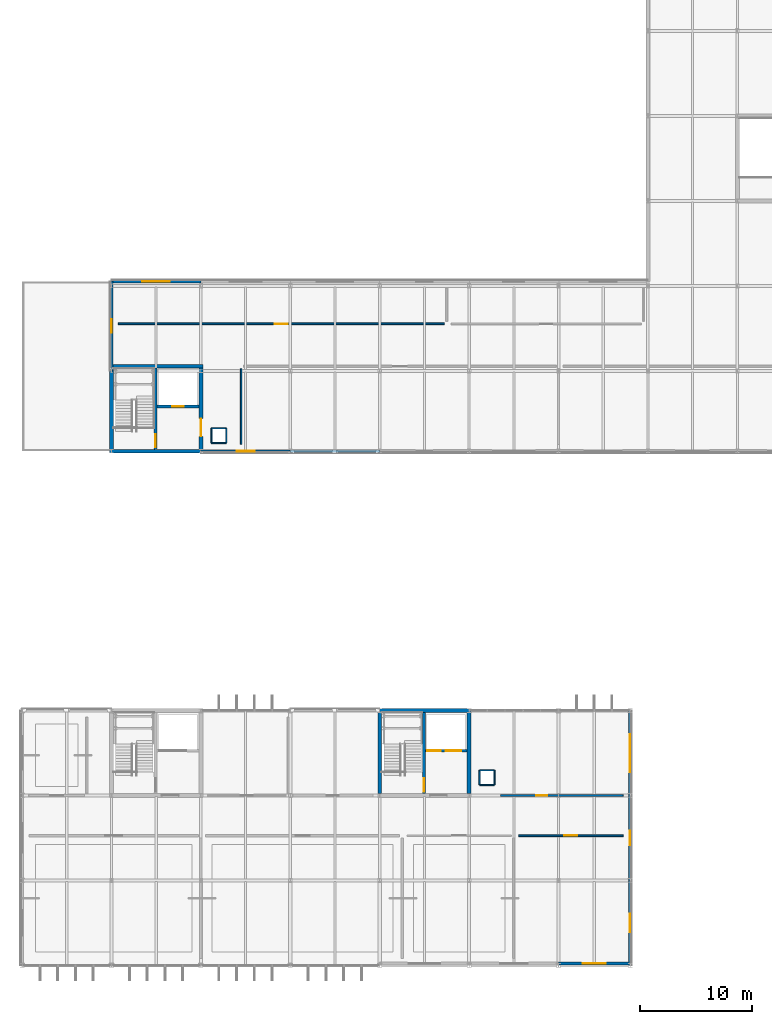
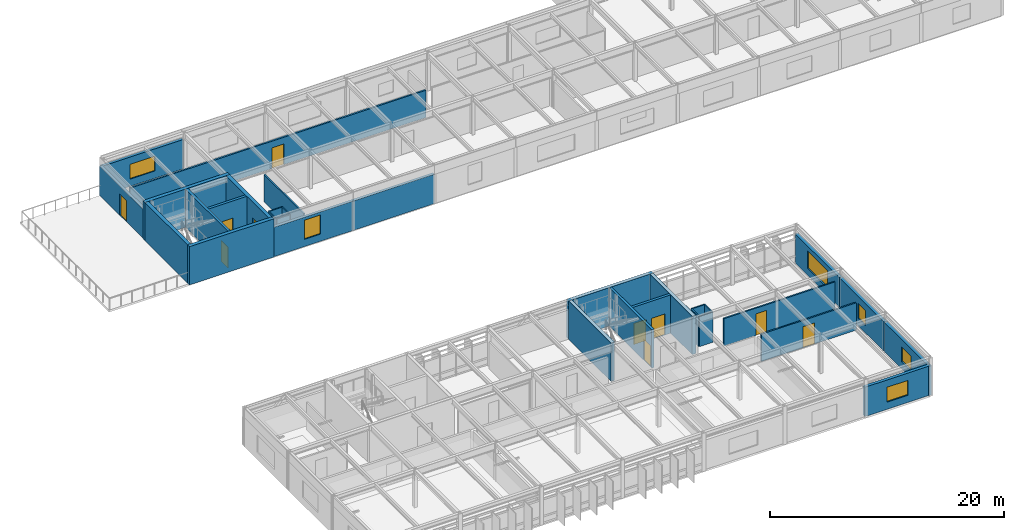
# One storey, part 24 of 33: 31 walls, 10 doors, 6 windows, 16 openings.
"""IFC4 building model written with IfcOpenShell, lengths in metres."""

from ifc_helpers import new_model, si_unit, direction, frame, frame_2d, origin, place, context, subcontext, project, spatial, rectangle, extrude, material, layer, layer_set, type_object, element, fill, save


model = new_model("IFC4")

# Units and contexts
model_context = context("Model", 3, precision=1e-05, world=origin(), true_north=direction((0.0, 1.0)))
body_context = subcontext(model_context, "Body", "Model", "MODEL_VIEW")
ifc_project = project(units=[si_unit("LENGTHUNIT", "METRE"), si_unit("AREAUNIT", "SQUARE_METRE"), si_unit("VOLUMEUNIT", "CUBIC_METRE"), si_unit("PLANEANGLEUNIT", "RADIAN"), si_unit("MASSUNIT", "GRAM", prefix="KILO")], contexts=[model_context])

# Site, building, storey
site_placement = place(None, origin())
site = spatial("IfcSite", under=ifc_project, at=site_placement, CompositionType="ELEMENT")
building_placement = place(site_placement, origin())
building = spatial("IfcBuilding", under=site, at=building_placement, Name="Zulena Civic Courthouse", CompositionType="ELEMENT")
storey_placement = place(building_placement, frame((0.0, 0.0, 33.60009765625)))
storey = spatial("IfcBuildingStorey", under=building, at=storey_placement, Name="L07", CompositionType="ELEMENT", Elevation=33.60009765625)

# Wall, opening, door
ifc_material_1 = material(Name="Concrete C40/50", Category="concrete")
ifc_layer_1 = layer(ifc_material_1, 0.25)
ifc_layer_set_1 = layer_set([ifc_layer_1], Name="Concrete C40/50")
wall_type_1 = type_object("IfcWallType", Name="CoreShearWall_RC250", PredefinedType="SHEAR", material=ifc_layer_set_1)
wall_1_placement = place(storey_placement, frame((47.949951171875, 15.375, 0.0), z_axis=(0.0, 0.0, 1.0), x_axis=(0.0, 1.0, 0.0)))
wall_1 = element("IfcWall", 1, at=wall_1_placement, inside=storey, type_object=wall_type_1, Name="cwall:K2B:L07:DIV", PredefinedType="SHEAR", context=body_context, shape_type="SweptSolid", body=[
    extrude(rectangle(XDim=7.25, YDim=0.25, at=frame_2d((3.625, 0.0))), origin(), (0.0, 0.0, 1.0), 3.989990234375),
])
opening_1_placement = place(wall_1_placement, frame((0.179931640625, 0.0, 0.0)))
opening_1 = element("IfcOpeningElement", 2, at=opening_1_placement, cuts=wall_1, Name="Opening ID07", PredefinedType="OPENING", context=body_context, shape_type="SweptSolid", body=[
    extrude(rectangle(XDim=1.199951171875, YDim=2.199951171875, at=frame_2d((0.60009765625, 1.10009765625))), frame((0.0, 0.135009765625, 0.0), z_axis=(0.0, -1.0, 0.0), x_axis=(1.0, 0.0, 0.0)), (0.0, 0.0, 1.0), 0.27001953125),
])
ifc_material_2 = material(Name="Fire-rated galvanised steel ASTM A653 Grade 50", Category="steel")
door_type_1 = type_object("IfcDoorType", Name="IntDoor_Stair_1200x2200", OperationType="NOTDEFINED", PredefinedType="DOOR", material=ifc_material_2)
door_1_placement = place(opening_1_placement, origin())
door_1 = element("IfcDoor", 3, at=door_1_placement, inside=storey, type_object=door_type_1, Name="door:stair:K2B:L07", OperationType="SINGLE_SWING_RIGHT", OverallHeight=2.199951171875, OverallWidth=1.199951171875, PredefinedType="DOOR", context=body_context, shape_type="SweptSolid", body=[
    extrude(rectangle(XDim=1.199951171875, YDim=2.199951171875, at=frame_2d((0.60009765625, 1.10009765625))), frame((0.0, 0.02490234375, 0.0), z_axis=(0.0, -1.0, 0.0), x_axis=(1.0, 0.0, 0.0)), (0.0, 0.0, 1.0), 0.050048828125),
])
fill(opening_1, door_1)

# Wall, openings, doors
wall_2_placement = place(storey_placement, frame((48.074951171875, 19.199951171875, 0.0), z_axis=(0.0, 0.0, 1.0), x_axis=(1.0, 0.0, 0.0)))
wall_2 = element("IfcWall", 4, at=wall_2_placement, inside=storey, type_object=wall_type_1, Name="cwall:K2B:L07:SHF", PredefinedType="SHEAR", context=body_context, shape_type="SweptSolid", body=[
    extrude(rectangle(XDim=3.75, YDim=0.25, at=frame_2d((1.875, 0.0))), origin(), (0.0, 0.0, 1.0), 3.989990234375),
])
opening_2_placement = place(wall_2_placement, frame((0.179931640625, 0.0, 0.0)))
opening_2 = element("IfcOpeningElement", 5, at=opening_2_placement, cuts=wall_2, Name="Opening LD01", PredefinedType="OPENING", context=body_context, shape_type="SweptSolid", body=[
    extrude(rectangle(XDim=1.199951171875, YDim=2.199951171875, at=frame_2d((0.60009765625, 1.10009765625))), frame((0.0, 0.135009765625, 0.0), z_axis=(0.0, -1.0, 0.0), x_axis=(1.0, 0.0, 0.0)), (0.0, 0.0, 1.0), 0.27001953125),
])
opening_3_placement = place(wall_2_placement, frame((1.85009765625, 0.0, 0.0)))
opening_3 = element("IfcOpeningElement", 6, at=opening_3_placement, cuts=wall_2, Name="Opening LD04", PredefinedType="OPENING", context=body_context, shape_type="SweptSolid", body=[
    extrude(rectangle(XDim=1.35009765625, YDim=2.199951171875, at=frame_2d((0.675048828125, 1.10009765625))), frame((0.0, 0.135009765625, 0.0), z_axis=(0.0, -1.0, 0.0), x_axis=(1.0, 0.0, 0.0)), (0.0, 0.0, 1.0), 0.27001953125),
])
door_type_2 = type_object("IfcDoorType", Name="LiftLandingDoor_FF_1200x2200", OperationType="SLIDING_TO_LEFT", PredefinedType="DOOR", material=ifc_material_2)
door_2_placement = place(opening_2_placement, origin())
door_2 = element("IfcDoor", 7, at=door_2_placement, inside=storey, type_object=door_type_2, Name="door:ld:FL-02:L07", OperationType="SLIDING_TO_LEFT", OverallHeight=2.199951171875, OverallWidth=1.199951171875, PredefinedType="DOOR", context=body_context, shape_type="SweptSolid", body=[
    extrude(rectangle(XDim=1.199951171875, YDim=2.199951171875, at=frame_2d((0.60009765625, 1.10009765625))), frame((0.0, 0.02490234375, 0.0), z_axis=(0.0, -1.0, 0.0), x_axis=(1.0, 0.0, 0.0)), (0.0, 0.0, 1.0), 0.050048828125),
])
fill(opening_2, door_2)
door_type_3 = type_object("IfcDoorType", Name="LiftLandingDoor_Goods_1350x2300", OperationType="DOUBLE_DOOR_SLIDING", PredefinedType="DOOR", material=ifc_material_2)
door_3_placement = place(opening_3_placement, origin())
door_3 = element("IfcDoor", 8, at=door_3_placement, inside=storey, type_object=door_type_3, Name="door:ld:CL-01:L07", OperationType="DOUBLE_DOOR_SLIDING", OverallHeight=2.199951171875, OverallWidth=1.35009765625, PredefinedType="DOOR", context=body_context, shape_type="SweptSolid", body=[
    extrude(rectangle(XDim=1.35009765625, YDim=2.199951171875, at=frame_2d((0.675048828125, 1.10009765625))), frame((0.0, 0.02490234375, 0.0), z_axis=(0.0, -1.0, 0.0), x_axis=(1.0, 0.0, 0.0)), (0.0, 0.0, 1.0), 0.050048828125),
])
fill(opening_3, door_3)

# Wall, opening, door
wall_3_placement = place(storey_placement, frame((23.949951171875, 46.175048828125, 0.0), z_axis=(0.0, 0.0, 1.0), x_axis=(0.0, 1.0, 0.0)))
wall_3 = element("IfcWall", 9, at=wall_3_placement, inside=storey, type_object=wall_type_1, Name="cwall:K5A:L07:DIV", PredefinedType="SHEAR", context=body_context, shape_type="SweptSolid", body=[
    extrude(rectangle(XDim=7.25, YDim=0.25, at=frame_2d((3.625, 0.0))), origin(), (0.0, 0.0, 1.0), 3.989990234375),
])
opening_4_placement = place(wall_3_placement, frame((0.179931640625, 0.0, 0.0)))
opening_4 = element("IfcOpeningElement", 10, at=opening_4_placement, cuts=wall_3, Name="Opening ID08", PredefinedType="OPENING", context=body_context, shape_type="SweptSolid", body=[
    extrude(rectangle(XDim=1.14990234375, YDim=2.199951171875, at=frame_2d((0.574951171875, 1.10009765625))), frame((0.0, 0.135009765625, 0.0), z_axis=(0.0, -1.0, 0.0), x_axis=(1.0, 0.0, 0.0)), (0.0, 0.0, 1.0), 0.27001953125),
])
door_type_4 = type_object("IfcDoorType", Name="IntDoor_Stair_1150x2200", OperationType="NOTDEFINED", PredefinedType="DOOR", material=ifc_material_2)
door_4_placement = place(opening_4_placement, origin())
door_4 = element("IfcDoor", 11, at=door_4_placement, inside=storey, type_object=door_type_4, Name="door:stair:K5A:L07", OperationType="SINGLE_SWING_LEFT", OverallHeight=2.199951171875, OverallWidth=1.14990234375, PredefinedType="DOOR", context=body_context, shape_type="SweptSolid", body=[
    extrude(rectangle(XDim=1.14990234375, YDim=2.199951171875, at=frame_2d((0.574951171875, 1.10009765625))), frame((0.0, 0.02490234375, 0.0), z_axis=(0.0, -1.0, 0.0), x_axis=(1.0, 0.0, 0.0)), (0.0, 0.0, 1.0), 0.050048828125),
])
fill(opening_4, door_4)

wall_4_placement = place(storey_placement, frame((24.074951171875, 50.0, 0.0), z_axis=(0.0, 0.0, 1.0), x_axis=(1.0, 0.0, 0.0)))
wall_4 = element("IfcWall", 12, at=wall_4_placement, inside=storey, type_object=wall_type_1, Name="cwall:K5A:L07:SHF", PredefinedType="SHEAR", context=body_context, shape_type="SweptSolid", body=[
    extrude(rectangle(XDim=3.75, YDim=0.25, at=frame_2d((1.875, 0.0))), origin(), (0.0, 0.0, 1.0), 3.989990234375),
])
opening_5_placement = place(wall_4_placement, frame((1.344970703125, 0.0, 0.0)))
opening_5 = element("IfcOpeningElement", 13, at=opening_5_placement, cuts=wall_4, Name="Opening LD03", PredefinedType="OPENING", context=body_context, shape_type="SweptSolid", body=[
    extrude(rectangle(XDim=1.050048828125, YDim=2.199951171875, at=frame_2d((0.52490234375, 1.10009765625))), frame((0.0, 0.135009765625, 0.0), z_axis=(0.0, -1.0, 0.0), x_axis=(1.0, 0.0, 0.0)), (0.0, 0.0, 1.0), 0.27001953125),
])
door_type_5 = type_object("IfcDoorType", Name="LiftLandingDoor_Jud_1050x2200", OperationType="SLIDING_TO_RIGHT", PredefinedType="DOOR", material=ifc_material_2)
door_5_placement = place(opening_5_placement, origin())
door_5 = element("IfcDoor", 14, at=door_5_placement, inside=storey, type_object=door_type_5, Name="door:ld:JL-02:L07", OperationType="SLIDING_TO_RIGHT", OverallHeight=2.199951171875, OverallWidth=1.050048828125, PredefinedType="DOOR", context=body_context, shape_type="SweptSolid", body=[
    extrude(rectangle(XDim=1.050048828125, YDim=2.199951171875, at=frame_2d((0.52490234375, 1.10009765625))), frame((0.0, 0.02490234375, 0.0), z_axis=(0.0, -1.0, 0.0), x_axis=(1.0, 0.0, 0.0)), (0.0, 0.0, 1.0), 0.050048828125),
])
fill(opening_5, door_5)

# Walls
ifc_layer_2 = layer(ifc_material_1, 0.35009765625)
ifc_layer_set_2 = layer_set([ifc_layer_2], Name="Concrete C40/50")
wall_type_2 = type_object("IfcWallType", Name="CoreShearWall_RC350", PredefinedType="SHEAR", material=ifc_layer_set_2)
wall_5_placement = place(storey_placement, frame((43.824951171875, 22.800048828125, 0.0), z_axis=(0.0, 0.0, 1.0), x_axis=(1.0, 0.0, 0.0)))
element("IfcWall", 15, at=wall_5_placement, inside=storey, type_object=wall_type_2, Name="cwall:K2B:L07:N", PredefinedType="SHEAR", context=body_context, shape_type="SweptSolid", body=[
    extrude(rectangle(XDim=8.35009765625, YDim=0.35009765625, at=frame_2d((4.175048828125, 0.0))), origin(), (0.0, 0.0, 1.0), 3.989990234375),
])
for number, where, z_axis, x_axis, name in (
    (16, (44.0, 15.375, 0.0), (0.0, 0.0, 1.0), (0.0, 1.0, 0.0), "cwall:K2B:L07:W"),
    (17, (52.0, 15.375, 0.0), (0.0, 0.0, 1.0), (0.0, 1.0, 0.0), "cwall:K2B:L07:E"),
):
    element("IfcWall", number, at=place(storey_placement, frame(where, z_axis=z_axis, x_axis=x_axis)), inside=storey, type_object=wall_type_2, Name=name, PredefinedType="SHEAR", context=body_context, shape_type="SweptSolid", body=[
        extrude(rectangle(XDim=7.25, YDim=0.35009765625, at=frame_2d((3.625, 0.0))), origin(), (0.0, 0.0, 1.0), 3.989990234375),
    ])
for number, where, z_axis, x_axis, name in (
    (18, (19.824951171875, 46.0, 0.0), (0.0, 0.0, 1.0), (1.0, 0.0, 0.0), "cwall:K5A:L07:S"),
    (19, (19.824951171875, 53.60009765625, 0.0), (0.0, 0.0, 1.0), (1.0, 0.0, 0.0), "cwall:K5A:L07:N"),
):
    element("IfcWall", number, at=place(storey_placement, frame(where, z_axis=z_axis, x_axis=x_axis)), inside=storey, type_object=wall_type_2, Name=name, PredefinedType="SHEAR", context=body_context, shape_type="SweptSolid", body=[
        extrude(rectangle(XDim=8.35009765625, YDim=0.35009765625, at=frame_2d((4.175048828125, 0.0))), origin(), (0.0, 0.0, 1.0), 3.989990234375),
    ])
wall_6_placement = place(storey_placement, frame((20.0, 46.175048828125, 0.0), z_axis=(0.0, 0.0, 1.0), x_axis=(0.0, 1.0, 0.0)))
element("IfcWall", 20, at=wall_6_placement, inside=storey, type_object=wall_type_2, Name="cwall:K5A:L07:W", PredefinedType="SHEAR", context=body_context, shape_type="SweptSolid", body=[
    extrude(rectangle(XDim=7.25, YDim=0.35009765625, at=frame_2d((3.625, 0.0))), origin(), (0.0, 0.0, 1.0), 3.989990234375),
])

# Wall, opening, door
wall_7_placement = place(storey_placement, frame((28.0, 46.175048828125, 0.0), z_axis=(0.0, 0.0, 1.0), x_axis=(0.0, 1.0, 0.0)))
wall_7 = element("IfcWall", 21, at=wall_7_placement, inside=storey, type_object=wall_type_2, Name="cwall:K5A:L07:E", PredefinedType="SHEAR", context=body_context, shape_type="SweptSolid", body=[
    extrude(rectangle(XDim=7.25, YDim=0.35009765625, at=frame_2d((3.625, 0.0))), origin(), (0.0, 0.0, 1.0), 3.989990234375),
])
opening_6_placement = place(wall_7_placement, frame((1.14990234375, 0.0, 0.0)))
opening_6 = element("IfcOpeningElement", 22, at=opening_6_placement, cuts=wall_7, Name="Opening ID04", PredefinedType="OPENING", context=body_context, shape_type="SweptSolid", body=[
    extrude(rectangle(XDim=1.60009765625, YDim=2.35009765625, at=frame_2d((0.800048828125, 1.175048828125))), frame((0.0, 0.18505859375, 0.0), z_axis=(0.0, -1.0, 0.0), x_axis=(1.0, 0.0, 0.0)), (0.0, 0.0, 1.0), 0.3701171875),
])
ifc_material_3 = material(Name="Solid-core acoustic hardwood timber", Category="wood")
door_type_6 = type_object("IfcDoorType", Name="IntDoor_CourtPublic_1600x2350", OperationType="DOUBLE_DOOR_SINGLE_SWING", PredefinedType="DOOR", material=ifc_material_3)
door_6_placement = place(opening_6_placement, origin())
door_6 = element("IfcDoor", 23, at=door_6_placement, inside=storey, type_object=door_type_6, Name="door:corelob:K5A:L07", OperationType="DOUBLE_DOOR_SINGLE_SWING", OverallHeight=2.35009765625, OverallWidth=1.60009765625, PredefinedType="DOOR", context=body_context, shape_type="SweptSolid", body=[
    extrude(rectangle(XDim=1.60009765625, YDim=2.35009765625, at=frame_2d((0.800048828125, 1.175048828125))), frame((0.0, 0.02490234375, 0.0), z_axis=(0.0, -1.0, 0.0), x_axis=(1.0, 0.0, 0.0)), (0.0, 0.0, 1.0), 0.050048828125),
])
fill(opening_6, door_6)

ifc_material_4 = material(Name="Buff architectural precast concrete C40/50", Category="concrete")
ifc_layer_3 = layer(ifc_material_4, 0.264892578125)
ifc_layer_set_3 = layer_set([ifc_layer_3], Name="Buff architectural precast concrete C40/50")
wall_type_3 = type_object("IfcWallType", Name="ExtWall_BuffPrecast_265", PredefinedType="STANDARD", material=ifc_layer_set_3)
wall_8_placement = place(storey_placement, frame((20.0, 53.179931640625, 0.0), z_axis=(0.0, 0.0, 1.0), x_axis=(0.0, 1.0, 0.0)))
wall_8 = element("IfcWall", 24, at=wall_8_placement, inside=storey, type_object=wall_type_3, Name="ewall:V5:L07:0:1", PredefinedType="STANDARD", context=body_context, shape_type="SweptSolid", body=[
    extrude(rectangle(XDim=8.0400390625, YDim=0.264892578125, at=frame_2d((4.02001953125, 0.0))), origin(), (0.0, 0.0, 1.0), 3.059814453125),
])
opening_7_placement = place(wall_8_placement, frame((3.419921875, 0.0, 0.0)))
opening_7 = element("IfcOpeningElement", 25, at=opening_7_placement, cuts=wall_8, Name="Opening TD02", PredefinedType="OPENING", context=body_context, shape_type="SweptSolid", body=[
    extrude(rectangle(XDim=1.199951171875, YDim=2.199951171875, at=frame_2d((0.60009765625, 1.10009765625))), frame((0.0, 0.142333984375, 0.0), z_axis=(0.0, -1.0, 0.0), x_axis=(1.0, 0.0, 0.0)), (0.0, 0.0, 1.0), 0.284912109375),
])
ifc_material_5 = material(Name="Galvanised architectural steel ASTM A653 Grade 50", Category="steel")
door_type_7 = type_object("IfcDoorType", Name="ExtDoor_Terrace_1200x2200", OperationType="NOTDEFINED", PredefinedType="DOOR", material=ifc_material_5)
door_7_placement = place(opening_7_placement, origin())
door_7 = element("IfcDoor", 26, at=door_7_placement, inside=storey, type_object=door_type_7, Name="door:terrace:TR-V5-L07", OperationType="SINGLE_SWING_RIGHT", OverallHeight=2.199951171875, OverallWidth=1.199951171875, PredefinedType="DOOR", context=body_context, shape_type="SweptSolid", body=[
    extrude(rectangle(XDim=1.199951171875, YDim=2.199951171875, at=frame_2d((0.60009765625, 1.10009765625))), frame((0.0, 0.02490234375, 0.0), z_axis=(0.0, -1.0, 0.0), x_axis=(1.0, 0.0, 0.0)), (0.0, 0.0, 1.0), 0.050048828125),
])
fill(opening_7, door_7)

# Wall, opening, window
wall_9_placement = place(storey_placement, frame((19.97998046875, 61.199951171875, 0.0), z_axis=(0.0, 0.0, 1.0), x_axis=(1.0, 0.0, 0.0)))
wall_9 = element("IfcWall", 27, at=wall_9_placement, inside=storey, type_object=wall_type_3, Name="ewall:V5:L07:1:0", PredefinedType="STANDARD", context=body_context, shape_type="SweptSolid", body=[
    extrude(rectangle(XDim=8.0400390625, YDim=0.264892578125, at=frame_2d((4.02001953125, 0.0))), origin(), (0.0, 0.0, 1.0), 3.059814453125),
])
opening_8_placement = place(wall_9_placement, frame((2.794921875, 0.0, 0.75)))
opening_8 = element("IfcOpeningElement", 28, at=opening_8_placement, cuts=wall_9, Name="Opening WN27", PredefinedType="OPENING", context=body_context, shape_type="SweptSolid", body=[
    extrude(rectangle(XDim=2.449951171875, YDim=1.550048828125, at=frame_2d((1.22509765625, 0.77490234375))), frame((0.0, 0.142333984375, 0.0), z_axis=(0.0, -1.0, 0.0), x_axis=(1.0, 0.0, 0.0)), (0.0, 0.0, 1.0), 0.284912109375),
])
ifc_material_6 = material(Name="Double-silver low-E laminated solar-control glass", Category="glass")
window_type_1 = type_object("IfcWindowType", Name="Win_2450x1550", PartitioningType="DOUBLE_PANEL_VERTICAL", PredefinedType="WINDOW", material=ifc_material_6)
window_1_placement = place(opening_8_placement, origin())
window_1 = element("IfcWindow", 29, at=window_1_placement, inside=storey, type_object=window_type_1, Name="win:V5:L07:1:0", OverallHeight=1.550048828125, OverallWidth=2.449951171875, PartitioningType="SINGLE_PANEL", PredefinedType="WINDOW", context=body_context, shape_type="SweptSolid", body=[
    extrude(rectangle(XDim=2.449951171875, YDim=1.550048828125, at=frame_2d((1.22509765625, 0.77490234375))), frame((0.0, 0.030029296875, 0.0), z_axis=(0.0, -1.0, 0.0), x_axis=(1.0, 0.0, 0.0)), (0.0, 0.0, 1.0), 0.06005859375),
])
fill(opening_8, window_1)

# Wall
wall_10_placement = place(storey_placement, frame((44.02001953125, 46.0, 0.0), z_axis=(0.0, 0.0, 1.0), x_axis=(-1.0, 0.0, 0.0)))
element("IfcWall", 30, at=wall_10_placement, inside=storey, type_object=wall_type_3, Name="ewall:V5:L07:5:7", PredefinedType="STANDARD", context=body_context, shape_type="SweptSolid", body=[
    extrude(rectangle(XDim=8.0400390625, YDim=0.264892578125, at=frame_2d((4.02001953125, 0.0))), origin(), (0.0, 0.0, 1.0), 3.059814453125),
])

# Wall, opening, window
wall_11_placement = place(storey_placement, frame((36.02001953125, 46.0, 0.0), z_axis=(0.0, 0.0, 1.0), x_axis=(-1.0, 0.0, 0.0)))
wall_11 = element("IfcWall", 31, at=wall_11_placement, inside=storey, type_object=wall_type_3, Name="ewall:V5:L07:5:8", PredefinedType="STANDARD", context=body_context, shape_type="SweptSolid", body=[
    extrude(rectangle(XDim=8.0400390625, YDim=0.264892578125, at=frame_2d((4.02001953125, 0.0))), origin(), (0.0, 0.0, 1.0), 3.059814453125),
])
opening_9_placement = place(wall_11_placement, frame((3.219970703125, 0.0, 0.75)))
opening_9 = element("IfcOpeningElement", 32, at=opening_9_placement, cuts=wall_11, Name="Opening WN02", PredefinedType="OPENING", context=body_context, shape_type="SweptSolid", body=[
    extrude(rectangle(XDim=1.60009765625, YDim=2.0, at=frame_2d((0.800048828125, 1.0))), frame((0.0, 0.142333984375, 0.0), z_axis=(0.0, -1.0, 0.0), x_axis=(1.0, 0.0, 0.0)), (0.0, 0.0, 1.0), 0.284912109375),
])
window_type_2 = type_object("IfcWindowType", Name="Win_1600x2000", PartitioningType="SINGLE_PANEL", PredefinedType="WINDOW", material=ifc_material_6)
window_2_placement = place(opening_9_placement, origin())
window_2 = element("IfcWindow", 33, at=window_2_placement, inside=storey, type_object=window_type_2, Name="win:V5:L07:5:8", OverallHeight=2.0, OverallWidth=1.60009765625, PartitioningType="SINGLE_PANEL", PredefinedType="WINDOW", context=body_context, shape_type="SweptSolid", body=[
    extrude(rectangle(XDim=1.60009765625, YDim=2.0, at=frame_2d((0.800048828125, 1.0))), frame((0.0, 0.030029296875, 0.0), z_axis=(0.0, -1.0, 0.0), x_axis=(1.0, 0.0, 0.0)), (0.0, 0.0, 1.0), 0.06005859375),
])
fill(opening_9, window_2)

ifc_material_7 = material(Name="White architectural precast concrete C40/50", Category="concrete")
ifc_layer_4 = layer(ifc_material_7, 0.300048828125)
ifc_layer_set_4 = layer_set([ifc_layer_4], Name="White architectural precast concrete C40/50")
wall_type_4 = type_object("IfcWallType", Name="ExtWall_WhitePrecast_300", PredefinedType="STANDARD", material=ifc_layer_set_4)
wall_12_placement = place(storey_placement, frame((66.39990234375, 22.820068359375, 0.0), z_axis=(0.0, 0.0, 1.0), x_axis=(0.0, -1.0, 0.0)))
wall_12 = element("IfcWall", 34, at=wall_12_placement, inside=storey, type_object=wall_type_4, Name="ewall:V2:L07:2:0", PredefinedType="STANDARD", context=body_context, shape_type="SweptSolid", body=[
    extrude(rectangle(XDim=7.64013671875, YDim=0.300048828125, at=frame_2d((3.820068359375, 0.0))), origin(), (0.0, 0.0, 1.0), 3.059814453125),
])
opening_10_placement = place(wall_12_placement, frame((2.1201171875, 0.0, 0.75)))
opening_10 = element("IfcOpeningElement", 35, at=opening_10_placement, cuts=wall_12, Name="Opening WN23", PredefinedType="OPENING", context=body_context, shape_type="SweptSolid", body=[
    extrude(rectangle(XDim=3.39990234375, YDim=1.800048828125, at=frame_2d((1.699951171875, 0.89990234375))), frame((0.0, 0.159912109375, 0.0), z_axis=(0.0, -1.0, 0.0), x_axis=(1.0, 0.0, 0.0)), (0.0, 0.0, 1.0), 0.320068359375),
])
window_type_3 = type_object("IfcWindowType", Name="Win_3400x1800", PartitioningType="DOUBLE_PANEL_VERTICAL", PredefinedType="WINDOW", material=ifc_material_6)
window_3_placement = place(opening_10_placement, origin())
window_3 = element("IfcWindow", 36, at=window_3_placement, inside=storey, type_object=window_type_3, Name="win:V2:L07:2:0", OverallHeight=1.800048828125, OverallWidth=3.39990234375, PartitioningType="SINGLE_PANEL", PredefinedType="WINDOW", context=body_context, shape_type="SweptSolid", body=[
    extrude(rectangle(XDim=3.39990234375, YDim=1.800048828125, at=frame_2d((1.699951171875, 0.89990234375))), frame((0.0, 0.030029296875, 0.0), z_axis=(0.0, -1.0, 0.0), x_axis=(1.0, 0.0, 0.0)), (0.0, 0.0, 1.0), 0.06005859375),
])
fill(opening_10, window_3)

wall_13_placement = place(storey_placement, frame((66.39990234375, 15.219970703125, 0.0), z_axis=(0.0, 0.0, 1.0), x_axis=(0.0, -1.0, 0.0)))
wall_13 = element("IfcWall", 37, at=wall_13_placement, inside=storey, type_object=wall_type_4, Name="ewall:V2:L07:2:1", PredefinedType="STANDARD", context=body_context, shape_type="SweptSolid", body=[
    extrude(rectangle(XDim=7.639892578125, YDim=0.300048828125, at=frame_2d((3.81982421875, 0.0))), origin(), (0.0, 0.0, 1.0), 3.059814453125),
])
opening_11_placement = place(wall_13_placement, frame((3.169921875, 0.0, 0.75)))
opening_11 = element("IfcOpeningElement", 38, at=opening_11_placement, cuts=wall_13, Name="Opening WN24", PredefinedType="OPENING", context=body_context, shape_type="SweptSolid", body=[
    extrude(rectangle(XDim=1.300048828125, YDim=1.550048828125, at=frame_2d((0.64990234375, 0.77490234375))), frame((0.0, 0.159912109375, 0.0), z_axis=(0.0, -1.0, 0.0), x_axis=(1.0, 0.0, 0.0)), (0.0, 0.0, 1.0), 0.320068359375),
])
window_type_4 = type_object("IfcWindowType", Name="Win_1300x1550", PartitioningType="SINGLE_PANEL", PredefinedType="WINDOW", material=ifc_material_6)
window_4_placement = place(opening_11_placement, origin())
window_4 = element("IfcWindow", 39, at=window_4_placement, inside=storey, type_object=window_type_4, Name="win:V2:L07:2:1", OverallHeight=1.550048828125, OverallWidth=1.300048828125, PartitioningType="SINGLE_PANEL", PredefinedType="WINDOW", context=body_context, shape_type="SweptSolid", body=[
    extrude(rectangle(XDim=1.300048828125, YDim=1.550048828125, at=frame_2d((0.64990234375, 0.77490234375))), frame((0.0, 0.030029296875, 0.0), z_axis=(0.0, -1.0, 0.0), x_axis=(1.0, 0.0, 0.0)), (0.0, 0.0, 1.0), 0.06005859375),
])
fill(opening_11, window_4)

wall_14_placement = place(storey_placement, frame((66.39990234375, 7.6201171875, 0.0), z_axis=(0.0, 0.0, 1.0), x_axis=(0.0, -1.0, 0.0)))
wall_14 = element("IfcWall", 40, at=wall_14_placement, inside=storey, type_object=wall_type_4, Name="ewall:V2:L07:2:2", PredefinedType="STANDARD", context=body_context, shape_type="SweptSolid", body=[
    extrude(rectangle(XDim=7.64013671875, YDim=0.300048828125, at=frame_2d((3.820068359375, 0.0))), origin(), (0.0, 0.0, 1.0), 3.059814453125),
])
opening_12_placement = place(wall_14_placement, frame((2.9951171875, 0.0, 0.75)))
opening_12 = element("IfcOpeningElement", 41, at=opening_12_placement, cuts=wall_14, Name="Opening WN25", PredefinedType="OPENING", context=body_context, shape_type="SweptSolid", body=[
    extrude(rectangle(XDim=1.64990234375, YDim=1.550048828125, at=frame_2d((0.824951171875, 0.77490234375))), frame((0.0, 0.159912109375, 0.0), z_axis=(0.0, -1.0, 0.0), x_axis=(1.0, 0.0, 0.0)), (0.0, 0.0, 1.0), 0.320068359375),
])
window_type_5 = type_object("IfcWindowType", Name="Win_1650x1550", PartitioningType="SINGLE_PANEL", PredefinedType="WINDOW", material=ifc_material_6)
window_5_placement = place(opening_12_placement, origin())
window_5 = element("IfcWindow", 42, at=window_5_placement, inside=storey, type_object=window_type_5, Name="win:V2:L07:2:2", OverallHeight=1.550048828125, OverallWidth=1.64990234375, PartitioningType="SINGLE_PANEL", PredefinedType="WINDOW", context=body_context, shape_type="SweptSolid", body=[
    extrude(rectangle(XDim=1.64990234375, YDim=1.550048828125, at=frame_2d((0.824951171875, 0.77490234375))), frame((0.0, 0.030029296875, 0.0), z_axis=(0.0, -1.0, 0.0), x_axis=(1.0, 0.0, 0.0)), (0.0, 0.0, 1.0), 0.06005859375),
])
fill(opening_12, window_5)

wall_15_placement = place(storey_placement, frame((66.419921875, 0.159912109375, 0.0), z_axis=(0.0, 0.0, 1.0), x_axis=(-1.0, 0.0, 0.0)))
wall_15 = element("IfcWall", 43, at=wall_15_placement, inside=storey, type_object=wall_type_4, Name="ewall:V2:L07:3:0", PredefinedType="STANDARD", context=body_context, shape_type="SweptSolid", body=[
    extrude(rectangle(XDim=6.43994140625, YDim=0.300048828125, at=frame_2d((3.219970703125, 0.0))), origin(), (0.0, 0.0, 1.0), 3.059814453125),
])
opening_13_placement = place(wall_15_placement, frame((2.195068359375, 0.0, 0.75)))
opening_13 = element("IfcOpeningElement", 44, at=opening_13_placement, cuts=wall_15, Name="Opening WN26", PredefinedType="OPENING", context=body_context, shape_type="SweptSolid", body=[
    extrude(rectangle(XDim=2.050048828125, YDim=1.550048828125, at=frame_2d((1.02490234375, 0.77490234375))), frame((0.0, 0.159912109375, 0.0), z_axis=(0.0, -1.0, 0.0), x_axis=(1.0, 0.0, 0.0)), (0.0, 0.0, 1.0), 0.320068359375),
])
window_type_6 = type_object("IfcWindowType", Name="Win_2050x1550", PartitioningType="DOUBLE_PANEL_VERTICAL", PredefinedType="WINDOW", material=ifc_material_6)
window_6_placement = place(opening_13_placement, origin())
window_6 = element("IfcWindow", 45, at=window_6_placement, inside=storey, type_object=window_type_6, Name="win:V2:L07:3:0", OverallHeight=1.550048828125, OverallWidth=2.050048828125, PartitioningType="SINGLE_PANEL", PredefinedType="WINDOW", context=body_context, shape_type="SweptSolid", body=[
    extrude(rectangle(XDim=2.050048828125, YDim=1.550048828125, at=frame_2d((1.02490234375, 0.77490234375))), frame((0.0, 0.030029296875, 0.0), z_axis=(0.0, -1.0, 0.0), x_axis=(1.0, 0.0, 0.0)), (0.0, 0.0, 1.0), 0.06005859375),
])
fill(opening_13, window_6)

# Wall, opening, door
ifc_material_8 = material(Name="Acoustic fire-rated gypsum board assembly", Category="masonry")
ifc_layer_5 = layer(ifc_material_8, 0.14599609375)
ifc_layer_set_5 = layer_set([ifc_layer_5], Name="Acoustic fire-rated gypsum board assembly")
wall_type_5 = type_object("IfcWallType", Name="PartWall_Chambers_146", PredefinedType="PARTITIONING", material=ifc_layer_set_5)
wall_16_placement = place(storey_placement, frame((56.419921875, 11.60009765625, 0.0), z_axis=(0.0, 0.0, 1.0), x_axis=(1.0, 0.0, 0.0)))
wall_16 = element("IfcWall", 46, at=wall_16_placement, inside=storey, type_object=wall_type_5, Name="pwall:L07:352:0", PredefinedType="PARTITIONING", context=body_context, shape_type="SweptSolid", body=[
    extrude(rectangle(XDim=9.360107421875, YDim=0.14599609375, at=frame_2d((4.68017578125, 0.0))), origin(), (0.0, 0.0, 1.0), 2.849853515625),
])
opening_14_placement = place(wall_16_placement, frame((4.10498046875, 0.0, 0.0)))
opening_14 = element("IfcOpeningElement", 47, at=opening_14_placement, cuts=wall_16, Name="Opening ID08", PredefinedType="OPENING", context=body_context, shape_type="SweptSolid", body=[
    extrude(rectangle(XDim=1.14990234375, YDim=2.199951171875, at=frame_2d((0.574951171875, 1.10009765625))), frame((0.0, 0.0830078125, 0.0), z_axis=(0.0, -1.0, 0.0), x_axis=(1.0, 0.0, 0.0)), (0.0, 0.0, 1.0), 0.166015625),
])
door_8_placement = place(opening_14_placement, origin())
door_8 = element("IfcDoor", 48, at=door_8_placement, inside=storey, type_object=door_type_4, Name="door:rm:L07:352", OperationType="SINGLE_SWING_RIGHT", OverallHeight=2.199951171875, OverallWidth=1.14990234375, PredefinedType="DOOR", context=body_context, shape_type="SweptSolid", body=[
    extrude(rectangle(XDim=1.14990234375, YDim=2.199951171875, at=frame_2d((0.574951171875, 1.10009765625))), frame((0.0, 0.02490234375, 0.0), z_axis=(0.0, -1.0, 0.0), x_axis=(1.0, 0.0, 0.0)), (0.0, 0.0, 1.0), 0.050048828125),
])
fill(opening_14, door_8)

wall_17_placement = place(storey_placement, frame((54.820068359375, 15.199951171875, 0.0), z_axis=(0.0, 0.0, 1.0), x_axis=(1.0, 0.0, 0.0)))
wall_17 = element("IfcWall", 49, at=wall_17_placement, inside=storey, type_object=wall_type_5, Name="pwall:L07:356:0", PredefinedType="PARTITIONING", context=body_context, shape_type="SweptSolid", body=[
    extrude(rectangle(XDim=10.9599609375, YDim=0.14599609375, at=frame_2d((5.47998046875, 0.0))), origin(), (0.0, 0.0, 1.0), 2.849853515625),
])
opening_15_placement = place(wall_17_placement, frame((3.169921875, 0.0, 0.0)))
opening_15 = element("IfcOpeningElement", 50, at=opening_15_placement, cuts=wall_17, Name="Opening ID12", PredefinedType="OPENING", context=body_context, shape_type="SweptSolid", body=[
    extrude(rectangle(XDim=1.02001953125, YDim=2.25, at=frame_2d((0.510009765625, 1.125))), frame((0.0, 0.0830078125, 0.0), z_axis=(0.0, -1.0, 0.0), x_axis=(1.0, 0.0, 0.0)), (0.0, 0.0, 1.0), 0.166015625),
])
door_type_8 = type_object("IfcDoorType", Name="IntDoor_Jury_1020x2250", OperationType="NOTDEFINED", PredefinedType="DOOR", material=ifc_material_3)
door_9_placement = place(opening_15_placement, origin())
door_9 = element("IfcDoor", 51, at=door_9_placement, inside=storey, type_object=door_type_8, Name="door:rm:L07:356", OperationType="SINGLE_SWING_RIGHT", OverallHeight=2.25, OverallWidth=1.02001953125, PredefinedType="DOOR", context=body_context, shape_type="SweptSolid", body=[
    extrude(rectangle(XDim=1.02001953125, YDim=2.25, at=frame_2d((0.510009765625, 1.125))), frame((0.0, 0.02490234375, 0.0), z_axis=(0.0, -1.0, 0.0), x_axis=(1.0, 0.0, 0.0)), (0.0, 0.0, 1.0), 0.050048828125),
])
fill(opening_15, door_9)

# Wall
wall_18_placement = place(storey_placement, frame((31.60009765625, 46.6201171875, 0.0), z_axis=(0.0, 0.0, 1.0), x_axis=(0.0, 1.0, 0.0)))
element("IfcWall", 52, at=wall_18_placement, inside=storey, type_object=wall_type_5, Name="pwall:L07:429:1", PredefinedType="PARTITIONING", context=body_context, shape_type="SweptSolid", body=[
    extrude(rectangle(XDim=6.759765625, YDim=0.14599609375, at=frame_2d((3.3798828125, 0.0))), origin(), (0.0, 0.0, 1.0), 2.849853515625),
])

# Wall, opening, door
ifc_layer_6 = layer(ifc_material_8, 0.162109375)
ifc_layer_set_6 = layer_set([ifc_layer_6], Name="Acoustic fire-rated gypsum board assembly")
wall_type_6 = type_object("IfcWallType", Name="PartWall_Jury_162", PredefinedType="PARTITIONING", material=ifc_layer_set_6)
wall_19_placement = place(storey_placement, frame((20.6201171875, 57.39990234375, 0.0), z_axis=(0.0, 0.0, 1.0), x_axis=(1.0, 0.0, 0.0)))
wall_19 = element("IfcWall", 53, at=wall_19_placement, inside=storey, type_object=wall_type_6, Name="pwall:L07:431:0", PredefinedType="PARTITIONING", context=body_context, shape_type="SweptSolid", body=[
    extrude(rectangle(XDim=29.159912109375, YDim=0.162109375, at=frame_2d((14.580078125, 0.0))), origin(), (0.0, 0.0, 1.0), 2.849853515625),
])
opening_16_placement = place(wall_19_placement, frame((14.0048828125, 0.0, 0.0)))
opening_16 = element("IfcOpeningElement", 54, at=opening_16_placement, cuts=wall_19, Name="Opening ID09", PredefinedType="OPENING", context=body_context, shape_type="SweptSolid", body=[
    extrude(rectangle(XDim=1.14990234375, YDim=2.14990234375, at=frame_2d((0.574951171875, 1.074951171875))), frame((0.0, 0.091064453125, 0.0), z_axis=(0.0, -1.0, 0.0), x_axis=(1.0, 0.0, 0.0)), (0.0, 0.0, 1.0), 0.18212890625),
])
door_type_9 = type_object("IfcDoorType", Name="IntDoor_Custody_1150x2150", OperationType="NOTDEFINED", PredefinedType="DOOR", material=ifc_material_2)
door_10_placement = place(opening_16_placement, origin())
door_10 = element("IfcDoor", 55, at=door_10_placement, inside=storey, type_object=door_type_9, Name="door:rm:L07:431", OperationType="SINGLE_SWING_LEFT", OverallHeight=2.14990234375, OverallWidth=1.14990234375, PredefinedType="DOOR", context=body_context, shape_type="SweptSolid", body=[
    extrude(rectangle(XDim=1.14990234375, YDim=2.14990234375, at=frame_2d((0.574951171875, 1.074951171875))), frame((0.0, 0.02490234375, 0.0), z_axis=(0.0, -1.0, 0.0), x_axis=(1.0, 0.0, 0.0)), (0.0, 0.0, 1.0), 0.050048828125),
])
fill(opening_16, door_10)

# Walls
ifc_material_9 = material(Name="Insulated blockwork masonry ASTM C90", Category="masonry")
ifc_layer_7 = layer(ifc_material_9, 0.114990234375)
ifc_layer_set_7 = layer_set([ifc_layer_7], Name="Insulated blockwork masonry ASTM C90")
wall_type_7 = type_object("IfcWallType", Name="PartWall_Riser_115", PredefinedType="PARTITIONING", material=ifc_layer_set_7)
for number, where, z_axis, x_axis, name in (
    (56, (52.93994140625, 16.139892578125, 0.0), (0.0, 0.0, 1.0), (1.0, 0.0, 0.0), "riser:RS-V2E:L07:0"),
    (57, (54.260009765625, 16.139892578125, 0.0), (0.0, 0.0, 1.0), (0.0, 1.0, 0.0), "riser:RS-V2E:L07:1"),
    (58, (54.260009765625, 17.4599609375, 0.0), (0.0, 0.0, 1.0), (-1.0, 0.0, 0.0), "riser:RS-V2E:L07:2"),
    (59, (52.93994140625, 17.4599609375, 0.0), (0.0, 0.0, 1.0), (0.0, -1.0, 0.0), "riser:RS-V2E:L07:3"),
    (60, (28.93994140625, 46.739990234375, 0.0), (0.0, 0.0, 1.0), (1.0, 0.0, 0.0), "riser:RS-V5W:L07:0"),
    (61, (30.260009765625, 46.739990234375, 0.0), (0.0, 0.0, 1.0), (0.0, 1.0, 0.0), "riser:RS-V5W:L07:1"),
    (62, (30.260009765625, 48.06005859375, 0.0), (0.0, 0.0, 1.0), (-1.0, 0.0, 0.0), "riser:RS-V5W:L07:2"),
    (63, (28.93994140625, 48.06005859375, 0.0), (0.0, 0.0, 1.0), (0.0, -1.0, 0.0), "riser:RS-V5W:L07:3"),
):
    element("IfcWall", number, at=place(storey_placement, frame(where, z_axis=z_axis, x_axis=x_axis)), inside=storey, type_object=wall_type_7, Name=name, PredefinedType="PARTITIONING", context=body_context, shape_type="SweptSolid", body=[
        extrude(rectangle(XDim=1.320068359375, YDim=0.114990234375, at=frame_2d((0.66015625, 0.0))), origin(), (0.0, 0.0, 1.0), 3.14990234375),
    ])

save(model, "model.ifc")
